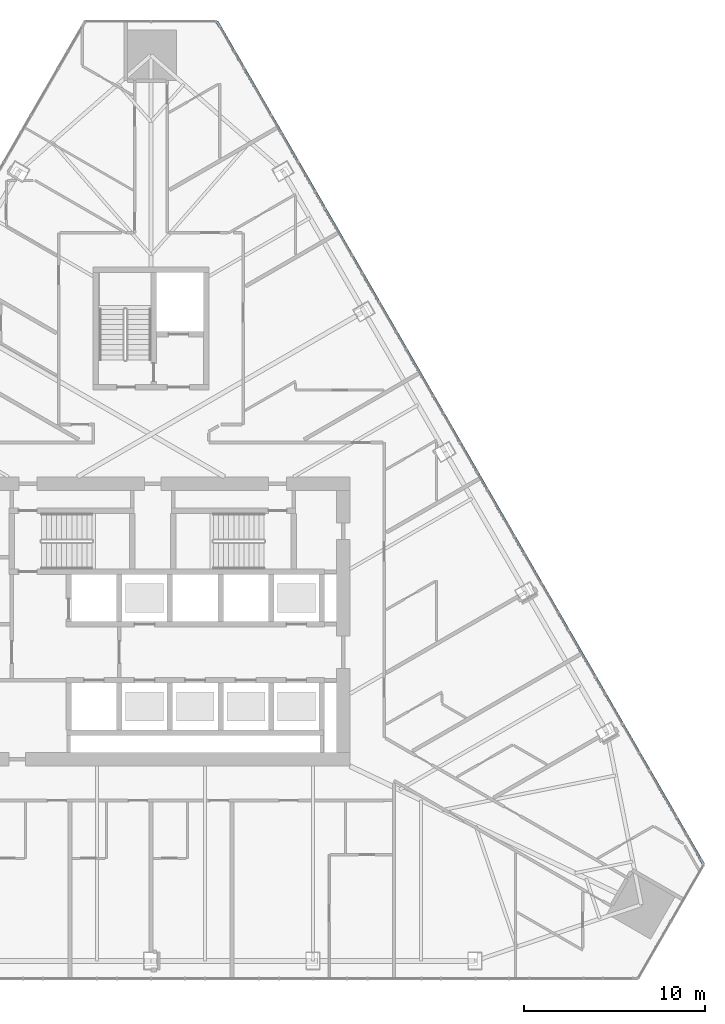
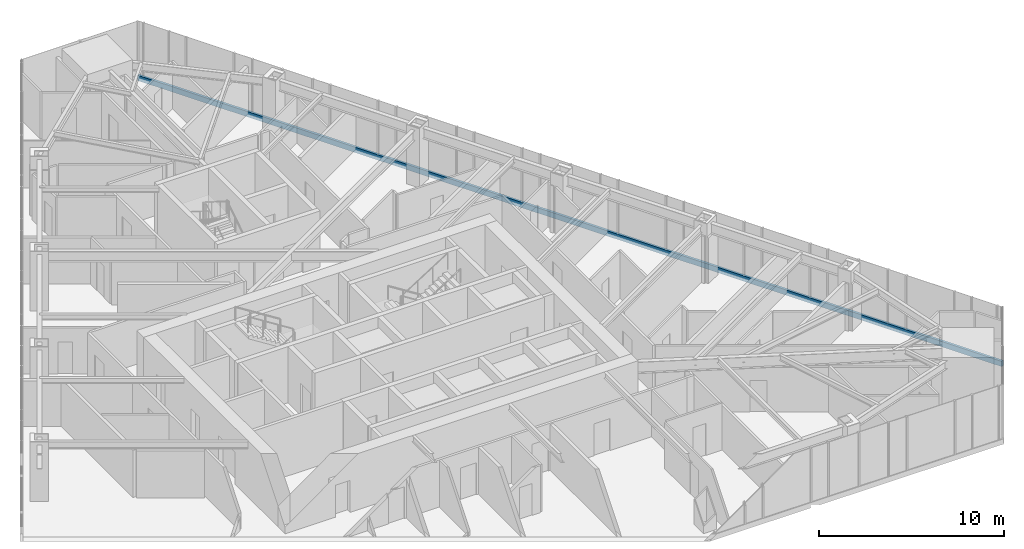
# One storey, part 9 of 26: 1 member, 1 element without a shape of its own.
"""IFC4 building model written with IfcOpenShell, lengths in metres."""

from ifc_helpers import new_model, si_unit, direction, frame, origin, origin_2d, place, context, subcontext, project, spatial, rectangle, extrude, material, layer, layer_set, material_profile, profile_set, type_object, element, aggregate, save


model = new_model("IFC4")

# Units and contexts
model_context = context("Model", 3, precision=1e-05, world=origin(), true_north=direction((0.0, 1.0)))
body_context = subcontext(model_context, "Body", "Model", "MODEL_VIEW")
ifc_project = project(units=[si_unit("LENGTHUNIT", "METRE"), si_unit("AREAUNIT", "SQUARE_METRE"), si_unit("VOLUMEUNIT", "CUBIC_METRE"), si_unit("PLANEANGLEUNIT", "RADIAN"), si_unit("MASSUNIT", "GRAM", prefix="KILO")], contexts=[model_context])

# Site, building, storey
site_placement = place(None, origin())
site = spatial("IfcSite", under=ifc_project, at=site_placement, CompositionType="ELEMENT")
building_placement = place(site_placement, origin())
building = spatial("IfcBuilding", under=site, at=building_placement, Name="Firuza Gate Tower and Library", CompositionType="ELEMENT")
storey_placement = place(building_placement, frame((0.0, 0.0, 175.300048828125)))
storey = spatial("IfcBuildingStorey", under=building, at=storey_placement, Name="L40", CompositionType="ELEMENT", Elevation=175.300048828125)

# Curtain wall, member
ifc_material_1 = material(Name="Aluminium 6063-T6", Category="aluminium")
ifc_layer = layer(ifc_material_1, 0.14990234375)
ifc_layer_set = layer_set([ifc_layer], Name="Unitised curtain wall, hotel")
curtain_wall_type = type_object("IfcCurtainWallType", Name="Unitised curtain wall, hotel", PredefinedType="NOTDEFINED", material=ifc_layer_set)
curtain_wall_placement = place(storey_placement, origin())
curtain_wall = element("IfcCurtainWall", 1, at=curtain_wall_placement, inside=storey, type_object=curtain_wall_type, Name="CW2 L40 E face", PredefinedType="NOTDEFINED")
ifc_material_2 = material(Name="Aluminium 6063-T6", Category="aluminium")
ifc_material_profile = material_profile(ifc_material_2, rectangle(XDim=0.14990234375, YDim=0.35009765625, at=origin_2d()))
ifc_profile_set = profile_set([ifc_material_profile], Name="Aluminium 6063-T6")
member_type = type_object("IfcMemberType", Name="Curtain wall transom 350x150", PredefinedType="USERDEFINED", material=ifc_profile_set)
member_placement = place(storey_placement, frame((105.572265625, 61.555908203125, -0.025146484375), z_axis=(-0.499997911762, 0.866026609426, 0.0), x_axis=(-0.866026609426, -0.499997911762, 0.0)))
member = element("IfcMember", 2, at=member_placement, type_object=member_type, Name="Transom", ObjectType="TRANSOM", PredefinedType="USERDEFINED", context=body_context, shape_type="SweptSolid", body=[
    extrude(rectangle(XDim=0.14990234375, YDim=0.35009765625, at=origin_2d()), origin(), (0.0, 0.0, 1.0), 53.858154296875),
])
aggregate(curtain_wall, [member])

save(model, "model.ifc")
